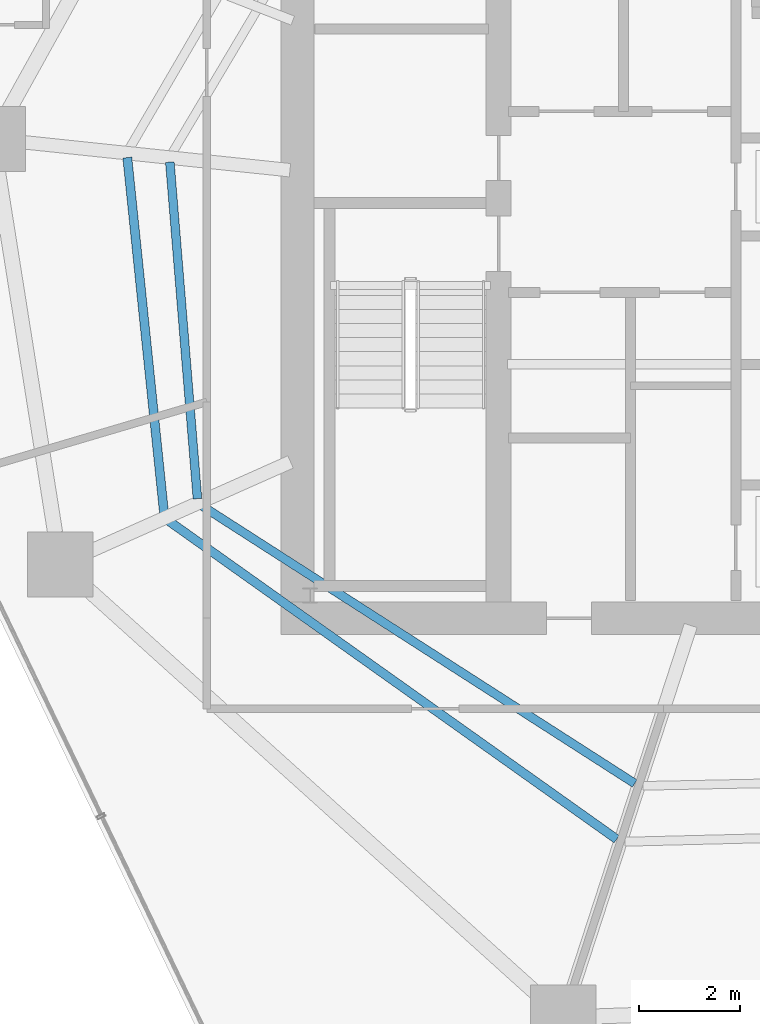
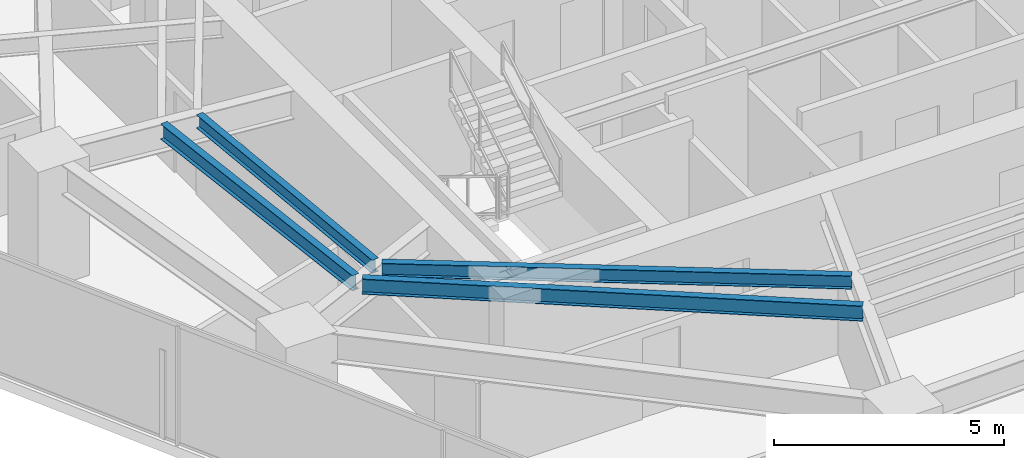
# One storey, part 8 of 30: 4 beams.
"""IFC4 building model written with IfcOpenShell, lengths in metres."""

from ifc_helpers import new_model, si_unit, direction, frame, origin, origin_2d, place, context, subcontext, project, spatial, i_section, extrude, material, material_profile, profile_set, type_object, element, save


model = new_model("IFC4")

# Units and contexts
model_context = context("Model", 3, precision=1e-05, world=origin(), true_north=direction((0.0, 1.0)))
body_context = subcontext(model_context, "Body", "Model", "MODEL_VIEW")
ifc_project = project(units=[si_unit("LENGTHUNIT", "METRE"), si_unit("AREAUNIT", "SQUARE_METRE"), si_unit("VOLUMEUNIT", "CUBIC_METRE"), si_unit("PLANEANGLEUNIT", "RADIAN"), si_unit("MASSUNIT", "GRAM", prefix="KILO")], contexts=[model_context])

# Site, building, storey
site_placement = place(None, origin())
site = spatial("IfcSite", under=ifc_project, at=site_placement, CompositionType="ELEMENT")
building_placement = place(site_placement, origin())
building = spatial("IfcBuilding", under=site, at=building_placement, Name="Qarnah Convention Tower", CompositionType="ELEMENT")
storey_placement = place(building_placement, frame((0.0, 0.0, 51.14990234375)))
storey = spatial("IfcBuildingStorey", under=building, at=storey_placement, Name="L12", CompositionType="ELEMENT", Elevation=51.14990234375)

# Beams
ifc_material = material(Name="Structural steel S355JR", Category="steel")
ifc_material_profile_1 = material_profile(ifc_material, i_section(OverallWidth=0.172119140625, OverallDepth=0.35595703125, WebThickness=0.007080078125, FlangeThickness=0.011962890625, at=origin_2d()), Name="W360X51")
ifc_profile_set_1 = profile_set([ifc_material_profile_1], Name="Structural steel S355JR")
beam_type_1 = type_object("IfcBeamType", Name="BM-JST-W360", PredefinedType="JOIST", material=ifc_profile_set_1)
beam_1_placement = place(storey_placement, frame((24.261962890625, 27.6708984375, 2.9921875), z_axis=(0.081763689087, -0.996651744165, 0.0), x_axis=(0.996651744165, 0.081763689087, 0.0)))
element("IfcBeam", 1, at=beam_1_placement, inside=storey, type_object=beam_type_1, Name="L12 joist BM-L12-IJST-05", PredefinedType="JOIST", context=body_context, shape_type="SweptSolid", body=[
    extrude(i_section(OverallWidth=0.172119140625, OverallDepth=0.35595703125, WebThickness=0.007080078125, FlangeThickness=0.011962890625, at=origin_2d()), origin(), (0.0, 0.0, 1.0), 6.71533203125),
])
beam_2_placement = place(storey_placement, frame((24.89404296875, 20.839111328125, 2.9921875), z_axis=(0.841675053613, -0.539984355445, 0.0), x_axis=(0.539984355445, 0.841675053613, 0.0)))
element("IfcBeam", 2, at=beam_2_placement, inside=storey, type_object=beam_type_1, Name="L12 joist BM-L12-IJST-06", PredefinedType="JOIST", context=body_context, shape_type="SweptSolid", body=[
    extrude(i_section(OverallWidth=0.172119140625, OverallDepth=0.35595703125, WebThickness=0.007080078125, FlangeThickness=0.011962890625, at=origin_2d()), origin(), (0.0, 0.0, 1.0), 10.23193359375),
])
ifc_material_profile_2 = material_profile(ifc_material, i_section(OverallWidth=0.177978515625, OverallDepth=0.407958984375, WebThickness=0.008056640625, FlangeThickness=0.012939453125, at=origin_2d()), Name="W410X60")
ifc_profile_set_2 = profile_set([ifc_material_profile_2], Name="Structural steel S355JR")
beam_type_2 = type_object("IfcBeamType", Name="BM-JST-W410", PredefinedType="JOIST", material=ifc_profile_set_2)
beam_3_placement = place(storey_placement, frame((23.416015625, 27.760009765625, 2.966064453125), z_axis=(0.10287690675, -0.994694094713, 0.0), x_axis=(0.994694094713, 0.10287690675, 0.0)))
element("IfcBeam", 3, at=beam_3_placement, inside=storey, type_object=beam_type_2, Name="L12 joist BM-L12-SJST-05", PredefinedType="JOIST", context=body_context, shape_type="SweptSolid", body=[
    extrude(i_section(OverallWidth=0.177978515625, OverallDepth=0.407958984375, WebThickness=0.008056640625, FlangeThickness=0.012939453125, at=origin_2d()), origin(), (0.0, 0.0, 1.0), 7.11474609375),
])
beam_4_placement = place(storey_placement, frame((24.22998046875, 20.541015625, 2.966064453125), z_axis=(0.815244739249, -0.579116581637, 0.0), x_axis=(0.579116581637, 0.815244739249, 0.0)))
element("IfcBeam", 4, at=beam_4_placement, inside=storey, type_object=beam_type_2, Name="L12 joist BM-L12-SJST-06", PredefinedType="JOIST", context=body_context, shape_type="SweptSolid", body=[
    extrude(i_section(OverallWidth=0.177978515625, OverallDepth=0.407958984375, WebThickness=0.008056640625, FlangeThickness=0.012939453125, at=origin_2d()), origin(), (0.0, 0.0, 1.0), 10.93896484375),
])

save(model, "model.ifc")
